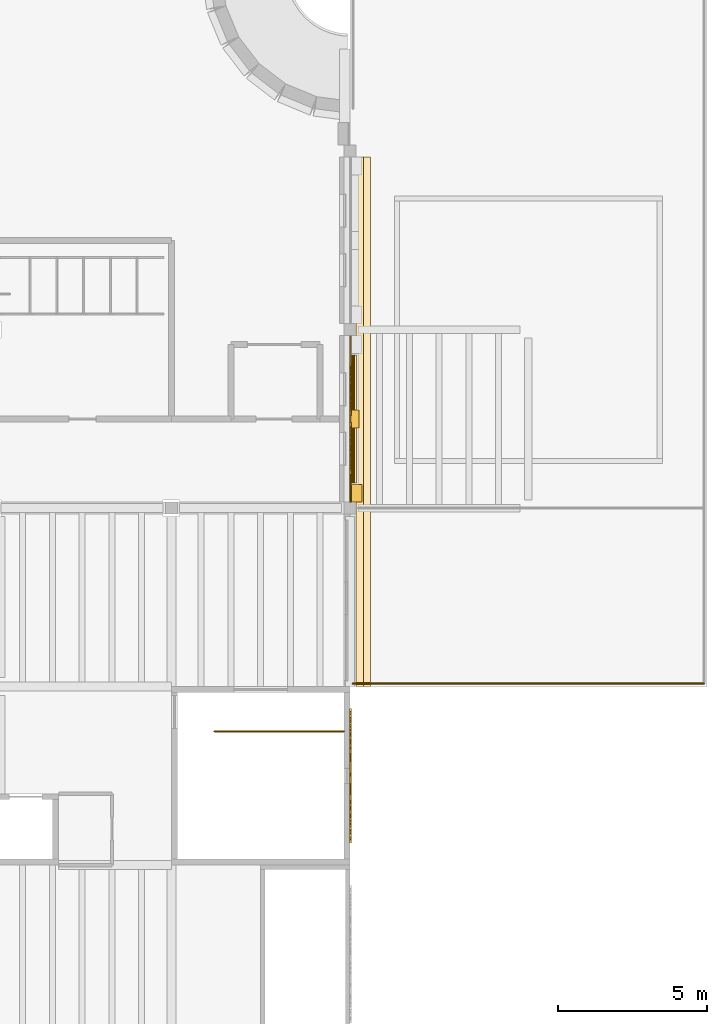
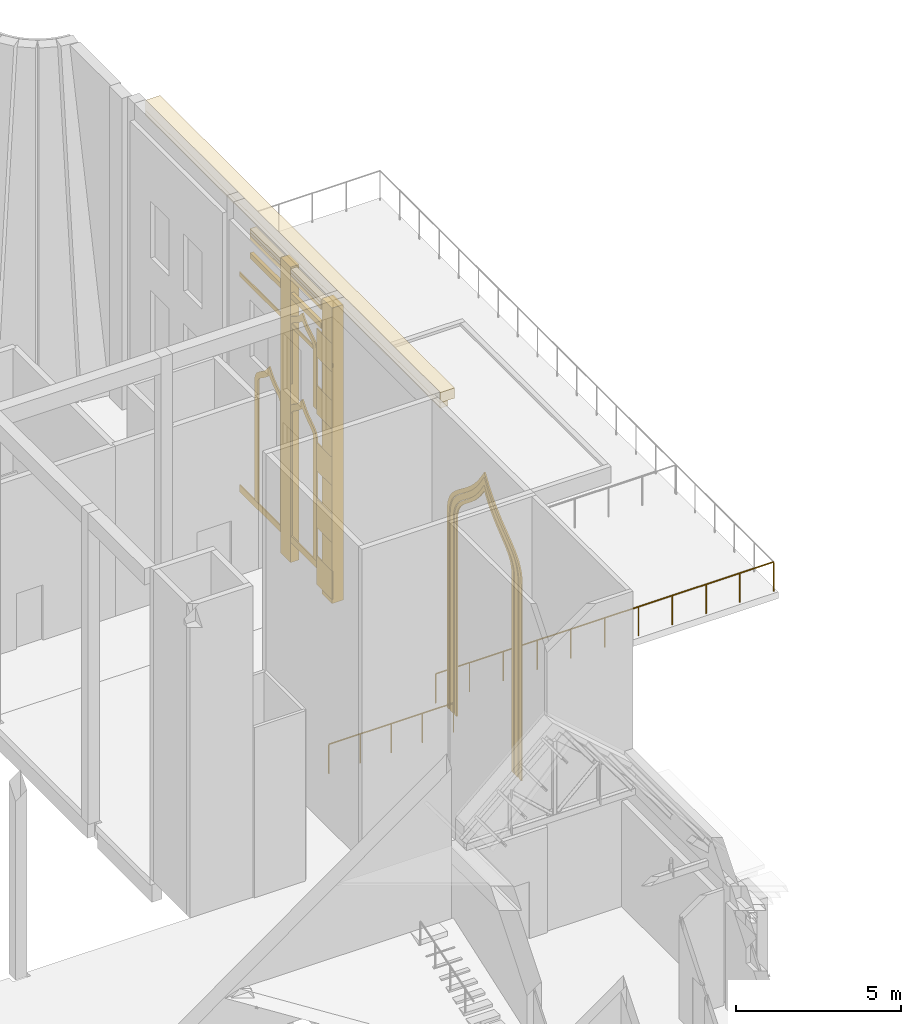
# One storey, part 115 of 118: 21 coverings, 2 railings.
"""IFC4 building model written with IfcOpenShell, lengths in metres."""

from ifc_helpers import new_model, si_unit, direction, frame, origin, origin_2d, place, context, subcontext, project, spatial, polyline, rectangle, circle, outline, extrude, material, layer, layer_set, type_object, element, save


model = new_model("IFC4")

# Units and contexts
model_context = context("Model", 3, precision=1e-05, world=origin(), true_north=direction((0.0, 1.0)))
body_context = subcontext(model_context, "Body", "Model", "MODEL_VIEW")
ifc_project = project(units=[si_unit("LENGTHUNIT", "METRE"), si_unit("AREAUNIT", "SQUARE_METRE"), si_unit("VOLUMEUNIT", "CUBIC_METRE"), si_unit("PLANEANGLEUNIT", "RADIAN"), si_unit("MASSUNIT", "GRAM", prefix="KILO")], contexts=[model_context])

# Site, building, storey
site_placement = place(None, origin())
site = spatial("IfcSite", under=ifc_project, at=site_placement, CompositionType="ELEMENT")
building_placement = place(site_placement, origin())
building = spatial("IfcBuilding", under=site, at=building_placement, Name="Saffron Lane Theatres", CompositionType="ELEMENT")
storey_placement = place(building_placement, frame((0.0, 0.0, 16.5)))
storey = spatial("IfcBuildingStorey", under=building, at=storey_placement, Name="L03", CompositionType="ELEMENT", Elevation=16.5)

# Coverings
ifc_material_1 = material(Name="Masonry sandstone", Category="masonry")
ifc_layer_1 = layer(ifc_material_1, 0.050048828125)
ifc_layer_set_1 = layer_set([ifc_layer_1], Name="Masonry sandstone")
covering_type_1 = type_object("IfcCoveringType", Name="EX-ARCH FRAME RING SANDSTONE 50", PredefinedType="CLADDING", material=ifc_layer_set_1)
covering_1_placement = place(storey_placement, frame((54.0, 97.2099609375, 7.62890625), z_axis=(-1.0, 0.0, 0.0), x_axis=(0.0, 0.060212267817, 0.99818559537)))
element("IfcCovering", 1, at=covering_1_placement, inside=storey, type_object=covering_type_1, Name="Arch recess ring L03", PredefinedType="CLADDING", context=body_context, shape_type="SweptSolid", body=[
    extrude(outline(polyline([(0.0, 0.0), (0.18245996245064686, 1.734723475976807e-18), (0.34723453126474224, 0.023079409295178335), (0.49622918690115053, 0.06838953283459552), (0.6301982160698869, 0.13221610474866663), (0.7522361869840188, 0.21314953337272502), (0.8673137477940834, 0.3084441366809254), (0.9769603789575473, 0.41507264098694907), (1.0849429406100468, 0.5306065632235581), (1.196652181685609, 0.6552098929656452), (1.3147478693531138, 0.7843196692926863), (1.4429589697428435, 0.9189338765698157), (1.5854662369971864, 1.0553761429328028), (1.7442633531391913, 1.1942599592614254), (1.9247936613689376, 1.3325665453533233), (2.12835764474947, 1.4675270254379955), (2.4426495451358874, 1.645948009593871), (2.1520838655153414, 1.860855040801105), (1.966218996014678, 2.0193065374804875), (1.8036230058359621, 2.1783110906345584), (1.662672006180802, 2.3352762276211867), (1.5375992481137724, 2.487859380230101), (1.426499251176009, 2.63690924351224), (1.3247796539255927, 2.779278654988486), (1.228858492839216, 2.9164066068448986), (1.1355467913628874, 3.044082944417697), (1.0395126016053695, 3.1631184687524665), (0.9367244587384699, 3.2715551051242904), (0.8253000760479804, 3.366571383496617), (0.6999748001694127, 3.4460390327928985), (0.5574482592399335, 3.5079558775061255), (0.39670156185697103, 3.55164962571373), (0.21556462286910513, 3.5735824146744983), (-7.000322945223632, 4.008857133929422), (-7.007555473486835, 3.888957887610556), (0.2044329321239884, 3.4539183725267932), (0.37338498835587197, 3.4327205966009036), (0.5183416457148889, 3.394871018701731), (0.6434016635559805, 3.339388641432058), (0.7534158012368836, 3.269649624665426), (0.8543588980500086, 3.1833368806434383), (0.9484304396681715, 3.084475667417548), (1.0398993817979454, 2.970851799054243), (1.1314232049009902, 2.845973737773342), (1.2274178672908547, 2.7100642741925265), (1.329994653076169, 2.5656864804325337), (1.4431703268244287, 2.4145547335631594), (1.5708440510175474, 2.256433829413242), (1.7174232904851157, 2.0954604213430774), (1.8848282259466955, 1.9310295119568452), (2.0772226245767573, 1.767292454875538), (2.2230779578730857, 1.6591929444823779), (2.065286012890334, 1.569409958918385), (1.8546044899525003, 1.4299871330308518), (1.6686478254905923, 1.2868716016560897), (1.5037814617152523, 1.1446851267574143), (1.3580264168641274, 1.0030579151101657), (1.2275044354927402, 0.8666264289383573), (1.1083163551191764, 0.7356258724131494), (0.9966806153471018, 0.6122410309466604), (0.8908093378032328, 0.49927018083078695), (0.7863453652168108, 0.39746532206832463), (0.6810722249471028, 0.31062892209304366), (0.5704857571163746, 0.2370760043565431), (0.45288628491552757, 0.1810670310814375), (0.32206376488099014, 0.14101992754420883), (0.1735496444331623, 0.11989467290442692), (0.0033333657812880347, 0.1201344504900272), (-7.2086550398295355, 0.55517396557379), (-7.215887568092738, 0.43527471925492384), (0.0, 0.0)])), origin(), (0.0, 0.0, -1.0), 0.050048828125),
])
covering_2_placement = place(storey_placement, frame((54.0, 96.949951171875, 7.6298828125), z_axis=(-1.0, 0.0, 0.0), x_axis=(0.0, 0.063270109204, 0.997996439513)))
element("IfcCovering", 2, at=covering_2_placement, inside=storey, type_object=covering_type_1, Name="Arch recess ring L03", PredefinedType="CLADDING", context=body_context, shape_type="SweptSolid", body=[
    extrude(outline(polyline([(0.0, 0.0), (0.20451131328636926, 0.0), (0.391608832374967, 0.026300952584901824), (0.5603025045638261, 0.07872099349623404), (0.7122943927847947, 0.15323812471010928), (0.850322953083702, 0.24674316688458328), (0.9785113163332971, 0.35481600248123024), (1.1014425201368863, 0.47643218780048757), (1.22206777840678, 0.6079797937474251), (1.3461265989027185, 0.747382536704494), (1.47672466357706, 0.8934650023216697), (1.61737772331112, 1.0438026252684656), (1.772425164233714, 1.1973864086493233), (1.9465237605785872, 1.3504962957412796), (2.1436646167616167, 1.5043470465272013), (2.366570742024628, 1.6555858301906534), (2.7526149361191536, 1.8796565861857986), (2.3979586477623505, 2.15068562635549), (2.1959366015138087, 2.3288636362032866), (2.019726164757263, 2.505160633352086), (1.866434413406835, 2.6802492823989263), (1.7320239026346331, 2.8521838689374683), (1.6114825817148033, 3.0190804657773938), (1.5003783836945004, 3.1804861609673156), (1.3949175152203226, 3.3344397932968923), (1.291870719907874, 3.480167565320222), (1.1852822347413474, 3.6163346400119867), (1.071768335296298, 3.7397307051813806), (0.9466533031453908, 3.849918295681022), (0.8052888160797143, 3.9430333789166583), (0.644503907541305, 4.015362892944497), (0.4622875785182192, 4.066055806298615), (0.2594136264563572, 4.091882862594615), (-6.9560811391073525, 4.549324516392314), (-6.968732071587271, 4.349773958784539), (0.24091505858866472, 3.8927030282829542), (0.4226376727818617, 3.868950798358842), (0.5763074336567084, 3.8271619474415197), (0.7077565297969739, 3.766722100760383), (0.825226268312909, 3.69028898295165), (0.931625020094396, 3.5974335808927735), (1.0327386333131892, 3.4868105653896757), (1.1321635902602138, 3.361127498880178), (1.2313772465864183, 3.2205353520147404), (1.3349506904806907, 3.067679900015165), (1.4478805258648797, 2.9042014185972795), (1.5719958874924584, 2.731940991928976), (1.7130397805127526, 2.552736206788559), (1.8738777327932161, 2.369340966025863), (2.0582726440792407, 2.1832291279022495), (2.2709311264061713, 1.9953254605140816), (2.3932290112455648, 1.9024406220928562), (2.260180150818841, 1.8257440342686455), (2.0254945259810873, 1.6662006990332623), (1.8190724721842393, 1.5048655345333242), (1.6363618454330005, 1.3432502874173748), (1.4738160012380457, 1.1832922200669196), (1.3289401350280363, 1.0280850650198985), (1.196269284125732, 0.8801769620388366), (1.074221462641737, 0.7416252505476916), (0.9580472155182788, 0.6146880784224842), (0.8435461778625839, 0.5025673058291871), (0.7292718876317141, 0.4055992650663196), (0.6119985858308586, 0.3269240290838356), (0.4857550626402057, 0.2649631093819253), (0.34778741520992096, 0.22258203382804242), (0.19007059168582058, 0.2005341984288354), (0.006803297092145158, 0.19992128090389086), (-7.202843833083791, 0.6569922114054754), (-7.21549476556371, 0.4574416537976993), (0.0, 0.0)])), origin(), (0.0, 0.0, -1.0), 0.050048828125),
])
covering_3_placement = place(storey_placement, frame((54.0, 96.75, 7.62890625), z_axis=(-1.0, 0.0, 0.0), x_axis=(0.0, 0.063067105822, 0.998009288616)))
element("IfcCovering", 3, at=covering_3_placement, inside=storey, type_object=covering_type_1, Name="Arch recess ring L03", PredefinedType="CLADDING", context=body_context, shape_type="SweptSolid", body=[
    extrude(outline(polyline([(0.0, 0.0), (0.22065410238359984, 0.0), (0.4187134265220611, 0.029560004583244877), (0.5977096136465027, 0.08649981821842359), (0.7591480818830546, 0.16754415025789063), (0.9069092065021029, 0.26828911918176446), (1.0436269965020135, 0.3878343914866551), (1.1763647343450248, 0.5218195761099406), (1.3079077001851873, 0.667867014636728), (1.443005808311013, 0.823719525322545), (1.5854805462929957, 0.9879124792278838), (1.74149756436062, 1.1573653473180439), (1.9128829214646568, 1.3300057147601387), (2.1051636874559483, 1.5042611719162358), (2.322602467400049, 1.6779053315271268), (2.5687309025280785, 1.848757998061501), (2.939299582482729, 2.0687451567247677), (2.5993714153662166, 2.333630674903618), (2.376708378009706, 2.5341076362624033), (2.1828581737781825, 2.733742341436499), (2.0140428055584096, 2.9308165121735614), (1.8657533124027184, 3.1236580619491425), (1.7323086520339435, 3.311402854286392), (1.6116364096191989, 3.4922248302345396), (1.4972321955910908, 3.6638441173757603), (1.3851205499528025, 3.825288798534778), (1.2703052025337076, 3.97491758167241), (1.1497237228123742, 4.110722342196935), (1.0158201165623333, 4.229266523603667), (0.8658679913294249, 4.329988531727124), (0.6954634655937679, 4.409007991296922), (0.5027007929207938, 4.463265173062263), (0.2838019761972683, 4.491041798770807), (-6.930811069679663, 4.946954153111145), (-6.939633689707931, 4.807340060733993), (0.27108088238534517, 4.35167406227577), (0.47394468647918964, 4.32564461841539), (0.6469894341356787, 4.276792138941024), (0.7970093612615814, 4.208112062862302), (0.9298059868044842, 4.1185038925216135), (1.0502089125366965, 4.010842590258167), (1.1623910613386164, 3.885353712170172), (1.2717436291480344, 3.7421858281426754), (1.3819241364077643, 3.585021850562481), (1.4954153209604875, 3.414438770837703), (1.618203468665377, 3.2322599466484734), (1.7523763915979502, 3.0405550915570396), (1.9052310321305657, 2.842532504699245), (2.0797528345714937, 2.638982037609416), (2.279081215655327, 2.4331300879366635), (2.509399924124821, 2.2260536522840537), (2.691990151832101, 2.0843733579964816), (2.493017257964128, 1.9668051456709819), (2.238463289591504, 1.7903692228565102), (2.0148072651487468, 1.6112468863933098), (1.816050202804688, 1.4312849950160573), (1.639483808618438, 1.2540794801970379), (1.4822458162227838, 1.080789727293752), (1.3375012005243339, 0.9155170755147108), (1.203439299814951, 0.7605775943042786), (1.0743509786028422, 0.6185337089889347), (0.9478458825011199, 0.490270355829437), (0.820759202831201, 0.3799015700062919), (0.6877613326258244, 0.28825340008036515), (0.5447409379751207, 0.21607490839936183), (0.3872687454152185, 0.16682615252251398), (0.2094508525427381, 0.1401457024385599), (0.004924146244612728, 0.13986044825926805), (-7.205790425848663, 0.5955264467174906), (-7.2146130458769315, 0.4559123543403382), (0.0, 0.0)])), origin(), (0.0, 0.0, -1.0), 0.050048828125),
])
ifc_material_2 = material(Name="Masonry sandstone", Category="masonry")
ifc_layer_2 = layer(ifc_material_2, 0.25)
ifc_layer_set_2 = layer_set([ifc_layer_2], Name="Masonry sandstone")
covering_type_2 = type_object("IfcCoveringType", Name="EX-CORBEL COURSE SANDSTONE 250", PredefinedType="CLADDING", material=ifc_layer_set_2)
covering_4_placement = place(storey_placement, frame((54.324951171875, 110.89990234375, 10.89990234375), z_axis=(0.0, 0.0, 1.0), x_axis=(0.0, 1.0, 0.0)))
element("IfcCovering", 4, at=covering_4_placement, inside=storey, type_object=covering_type_2, Name="Corbel course east face", PredefinedType="CLADDING", context=body_context, shape_type="SweptSolid", body=[
    extrude(rectangle(XDim=17.800048828125, YDim=0.25, at=origin_2d()), origin(), (0.0, 0.0, 1.0), 0.199951171875),
])
ifc_material_3 = material(Name="Masonry sandstone", Category="masonry")
ifc_layer_3 = layer(ifc_material_3, 0.5)
ifc_layer_set_3 = layer_set([ifc_layer_3], Name="Masonry sandstone")
covering_type_3 = type_object("IfcCoveringType", Name="EX-CORNICE SANDSTONE 500", PredefinedType="CLADDING", material=ifc_layer_set_3)
covering_5_placement = place(storey_placement, frame((54.449951171875, 110.89990234375, 11.10009765625), z_axis=(0.0, 0.0, 1.0), x_axis=(0.0, 1.0, 0.0)))
element("IfcCovering", 5, at=covering_5_placement, inside=storey, type_object=covering_type_3, Name="Cornice east face", PredefinedType="CLADDING", context=body_context, shape_type="SweptSolid", body=[
    extrude(rectangle(XDim=17.800048828125, YDim=0.5, at=origin_2d()), origin(), (0.0, 0.0, 1.0), 0.3798828125),
])
ifc_material_4 = material(Name="Masonry sandstone", Category="masonry")
ifc_layer_4 = layer(ifc_material_4, 0.179931640625)
ifc_layer_set_4 = layer_set([ifc_layer_4], Name="Masonry sandstone")
covering_type_4 = type_object("IfcCoveringType", Name="EX-EAVES CORNICE SANDSTONE 180", PredefinedType="CLADDING", material=ifc_layer_set_4)
covering_6_placement = place(storey_placement, frame((54.110107421875, 111.0, 10.7099609375), z_axis=(0.0, 0.0, 1.0), x_axis=(0.0, -1.0, 0.0)))
element("IfcCovering", 6, at=covering_6_placement, inside=storey, type_object=covering_type_4, Name="Eaves cornice L03", PredefinedType="CLADDING", context=body_context, shape_type="SweptSolid", body=[
    extrude(rectangle(XDim=4.300048828125, YDim=0.219970703125, at=origin_2d()), origin(), (0.0, 0.0, 1.0), 0.1298828125),
])
covering_7_placement = place(storey_placement, frame((54.074951171875, 111.0, 10.580078125), z_axis=(0.0, 0.0, 1.0), x_axis=(0.0, -1.0, 0.0)))
element("IfcCovering", 7, at=covering_7_placement, inside=storey, type_object=covering_type_4, Name="Eaves cornice L03", PredefinedType="CLADDING", context=body_context, shape_type="SweptSolid", body=[
    extrude(rectangle(XDim=4.300048828125, YDim=0.14990234375, at=origin_2d()), origin(), (0.0, 0.0, 1.0), 0.1298828125),
])
covering_8_placement = place(storey_placement, frame((54.0400390625, 111.0, 10.449951171875), z_axis=(0.0, 0.0, 1.0), x_axis=(0.0, -1.0, 0.0)))
element("IfcCovering", 8, at=covering_8_placement, inside=storey, type_object=covering_type_4, Name="Eaves cornice L03", PredefinedType="CLADDING", context=body_context, shape_type="SweptSolid", body=[
    extrude(rectangle(XDim=4.300048828125, YDim=0.080078125, at=origin_2d()), origin(), (0.0, 0.0, 1.0), 0.1298828125),
])
ifc_material_5 = material(Name="Masonry sandstone", Category="masonry")
ifc_layer_5 = layer(ifc_material_5, 0.1201171875)
ifc_layer_set_5 = layer_set([ifc_layer_5], Name="Masonry sandstone")
covering_type_5 = type_object("IfcCoveringType", Name="EX-EAVES STRING COURSE SANDSTONE 120", PredefinedType="CLADDING", material=ifc_layer_set_5)
covering_9_placement = place(storey_placement, frame((54.06005859375, 111.0, 9.75), z_axis=(0.0, 0.0, 1.0), x_axis=(0.0, -1.0, 0.0)))
element("IfcCovering", 9, at=covering_9_placement, inside=storey, type_object=covering_type_5, Name="Eaves string course L03", PredefinedType="CLADDING", context=body_context, shape_type="SweptSolid", body=[
    extrude(rectangle(XDim=4.300048828125, YDim=0.1201171875, at=origin_2d()), origin(), (0.0, 0.0, 1.0), 0.199951171875),
])
ifc_material_6 = material(Name="Face brick cladding, pale buff", Category="masonry")
ifc_layer_6 = layer(ifc_material_6, 0.0400390625)
ifc_layer_set_6 = layer_set([ifc_layer_6], Name="Face brick cladding, pale buff")
covering_type_6 = type_object("IfcCoveringType", Name="EX-FACE BRICK CLADDING PALE BUFF 40", PredefinedType="CLADDING", material=ifc_layer_set_6)
for number, where, z_axis, x_axis, name in (
    (10, (54.02001953125, 108.6650390625, 0.14990234375), (0.0, 0.0, 1.0), (0.0, -1.0, 0.0), "Cladding course L03"),
    (11, (54.02001953125, 108.6650390625, 2.25), (0.0, 0.0, 1.0), (0.0, -1.0, 0.0), "Cladding course L03"),
    (12, (54.02001953125, 108.6650390625, 4.35009765625), (0.0, 0.0, 1.0), (0.0, -1.0, 0.0), "Cladding course L03"),
    (13, (54.02001953125, 108.6650390625, 6.4501953125), (0.0, 0.0, 1.0), (0.0, -1.0, 0.0), "Cladding course L03"),
    (14, (54.02001953125, 108.6650390625, 8.5498046875), (0.0, 0.0, 1.0), (0.0, -1.0, 0.0), "Cladding course L03"),
):
    element("IfcCovering", number, at=place(storey_placement, frame(where, z_axis=z_axis, x_axis=x_axis)), inside=storey, type_object=covering_type_6, Name=name, PredefinedType="CLADDING", context=body_context, shape_type="SweptSolid", body=[
        extrude(rectangle(XDim=0.929931640625, YDim=0.0400390625, at=origin_2d()), origin(), (0.0, 0.0, 1.0), 1.050048828125),
    ])
ifc_material_7 = material(Name="Masonry sandstone", Category="masonry")
ifc_layer_7 = layer(ifc_material_7, 0.0400390625)
ifc_layer_set_7 = layer_set([ifc_layer_7], Name="Masonry sandstone")
covering_type_7 = type_object("IfcCoveringType", Name="EX-HEAD COURSE SANDSTONE 150", PredefinedType="CLADDING", material=ifc_layer_set_7)
covering_10_placement = place(storey_placement, frame((54.02001953125, 111.0, 8.699951171875), z_axis=(0.0, 0.0, 1.0), x_axis=(0.0, -1.0, 0.0)))
element("IfcCovering", 15, at=covering_10_placement, inside=storey, type_object=covering_type_7, Name="Facade head course L03", PredefinedType="CLADDING", context=body_context, shape_type="SweptSolid", body=[
    extrude(rectangle(XDim=5.60009765625, YDim=0.0400390625, at=origin_2d()), origin(), (0.0, 0.0, 1.0), 0.14990234375),
])
ifc_material_8 = material(Name="Masonry sandstone", Category="masonry")
ifc_layer_8 = layer(ifc_material_8, 0.050048828125)
ifc_layer_set_8 = layer_set([ifc_layer_8], Name="Masonry sandstone")
covering_type_8 = type_object("IfcCoveringType", Name="EX-HOOD RING SANDSTONE 50", PredefinedType="CLADDING", material=ifc_layer_set_8)
covering_11_placement = place(storey_placement, frame((54.0, 112.864013671875, 5.531982421875), z_axis=(-1.0, 0.0, 0.0), x_axis=(0.0, 0.078130341124, -0.99694315274)))
element("IfcCovering", 16, at=covering_11_placement, inside=storey, type_object=covering_type_8, Name="Window hood ring L03", PredefinedType="CLADDING", context=body_context, shape_type="SweptSolid", body=[
    extrude(outline(polyline([(0.0, 0.0), (0.07811965924127641, 8.673617379884035e-19), (4.51860571358575, 0.348000474478407), (4.5029643855287285, 0.5475838204859967), (0.07051034388943878, 0.2002128140879333), (0.015441424254536285, 0.1998152954578012), (-0.02623088864743072, 0.2065898979855227), (-0.06326879049484424, 0.21984992921981394), (-0.09703727328253409, 0.2382639687967968), (-0.13214633233345252, 0.26440940238362326), (-0.16685405779617615, 0.29793296486368853), (-0.2041193311441259, 0.33909254740203026), (-0.24420462149201466, 0.38811246953273454), (-0.28736782000488015, 0.4420338497823805), (-0.3340575657508945, 0.5003317499215421), (-0.38620193853494034, 0.5626101773033125), (-0.4454665490471872, 0.6282488197466987), (-0.5118468193379598, 0.6940644762441935), (-0.5873280535830812, 0.7603913371220885), (-0.6587104968856504, 0.8150398483784828), (-0.5967128504172938, 0.8801413447266424), (-0.5324857424571023, 0.9574171352444522), (-0.47716885054812513, 1.0327701868986672), (-0.4287768705145394, 1.105866309362996), (-0.387047333241632, 1.1764811831033524), (-0.3500094313942185, 1.2413408111103374), (-0.3157732347480431, 1.3013279746796576), (-0.2837375059124262, 1.355020457445542), (-0.25341545623856876, 1.4024564089886185), (-0.2243538687086235, 1.4409775665308049), (-0.19374646017167702, 1.4722731935022604), (-0.16325884131789892, 1.4957229777219914), (-0.12873881179185953, 1.5145909973084342), (-0.08863063169559462, 1.5277747293814716), (-0.03417210535072224, 1.5359608663923878), (4.3982819362885675, 1.8833318727904511), (4.382640608231546, 2.082915218798041), (-0.05784544611292687, 1.734914744319634), (-0.13501136583853127, 1.722745028099659), (-0.20734831164838508, 1.6989541866291236), (-0.27201185081094814, 1.6647446946893871), (-0.3286105686289885, 1.6213716734830736), (-0.3758748470592437, 1.571383514996059), (-0.41699246505889587, 1.5179588422861752), (-0.4546407601963395, 1.4608878326599741), (-0.48889603163282835, 1.4011440634150536), (-0.5242729007397474, 1.3400879485965684), (-0.5594971715241591, 1.2770846791828874), (-0.5985585271280223, 1.2130460301509924), (-0.64166221229511, 1.147466138061772), (-0.6905310620865317, 1.0804548737074307), (-0.7455610691491948, 1.0139403168928514), (-0.8105702435122374, 0.9466436936754209), (-0.9836419199589825, 0.7895750033100398), (-0.7882145892648852, 0.6613855454792072), (-0.7135154214226149, 0.6050378519016919), (-0.6487954208807241, 0.5479080919213253), (-0.5900839792875671, 0.48932788488552464), (-0.5372903006412517, 0.43126346017979944), (-0.48872969946129513, 0.3740917356607433), (-0.4441206318426708, 0.31734499746987055), (-0.3995878633853003, 0.2615718365765959), (-0.35652003882400196, 0.2088674279489475), (-0.3104406863680177, 0.1583581461905698), (-0.26150240433985494, 0.11199114589665882), (-0.2070278551711193, 0.06997624976066244), (-0.14436335403340483, 0.035949875807934885), (-0.075160014776243, 0.012231518540590533), (0.0, 0.0)])), origin(), (0.0, 0.0, -1.0), 0.050048828125),
])
covering_12_placement = place(storey_placement, frame((54.0, 110.864013671875, 5.531982421875), z_axis=(-1.0, 0.0, 0.0), x_axis=(0.0, 0.078130341124, -0.99694315274)))
element("IfcCovering", 17, at=covering_12_placement, inside=storey, type_object=covering_type_8, Name="Window hood ring L03", PredefinedType="CLADDING", context=body_context, shape_type="SweptSolid", body=[
    extrude(outline(polyline([(0.0, 0.0), (0.07811965924127641, 8.673617379884035e-19), (4.51860571358575, 0.348000474478407), (4.5029643855287285, 0.5475838204859967), (0.07051034388943878, 0.2002128140879333), (0.015441424254536285, 0.1998152954578012), (-0.02623088864743072, 0.2065898979855227), (-0.06326879049484424, 0.21984992921981394), (-0.09703727328253409, 0.2382639687967968), (-0.13214633233345252, 0.26440940238362326), (-0.16685405779617615, 0.29793296486368853), (-0.2041193311441259, 0.33909254740203026), (-0.24420462149201466, 0.38811246953273454), (-0.28736782000488015, 0.4420338497823805), (-0.3340575657508945, 0.5003317499215421), (-0.38620193853494034, 0.5626101773033125), (-0.4454665490471872, 0.6282488197466987), (-0.5118468193379598, 0.6940644762441935), (-0.5873280535830812, 0.7603913371220885), (-0.6587104968856504, 0.8150398483784828), (-0.5967128504172938, 0.8801413447266424), (-0.5324857424571023, 0.9574171352444522), (-0.47716885054812513, 1.0327701868986672), (-0.4287768705145394, 1.105866309362996), (-0.387047333241632, 1.1764811831033524), (-0.3500094313942185, 1.2413408111103374), (-0.3157732347480431, 1.3013279746796576), (-0.2837375059124262, 1.355020457445542), (-0.25341545623856876, 1.4024564089886185), (-0.2243538687086235, 1.4409775665308049), (-0.19374646017167702, 1.4722731935022604), (-0.16325884131789892, 1.4957229777219914), (-0.12873881179185953, 1.5145909973084342), (-0.08863063169559462, 1.5277747293814716), (-0.03417210535072224, 1.5359608663923878), (4.3982819362885675, 1.8833318727904511), (4.382640608231546, 2.082915218798041), (-0.05784544611292687, 1.734914744319634), (-0.13501136583853127, 1.722745028099659), (-0.20734831164838508, 1.6989541866291236), (-0.27201185081094814, 1.6647446946893871), (-0.3286105686289885, 1.6213716734830736), (-0.3758748470592437, 1.571383514996059), (-0.41699246505889587, 1.5179588422861752), (-0.4546407601963395, 1.4608878326599741), (-0.48889603163282835, 1.4011440634150536), (-0.5242729007397474, 1.3400879485965684), (-0.5594971715241591, 1.2770846791828874), (-0.5985585271280223, 1.2130460301509924), (-0.64166221229511, 1.147466138061772), (-0.6905310620865317, 1.0804548737074307), (-0.7455610691491948, 1.0139403168928514), (-0.8105702435122374, 0.9466436936754209), (-0.9836419199589825, 0.7895750033100398), (-0.7882145892648852, 0.6613855454792072), (-0.7135154214226149, 0.6050378519016919), (-0.6487954208807241, 0.5479080919213253), (-0.5900839792875671, 0.48932788488552464), (-0.5372903006412517, 0.43126346017979944), (-0.48872969946129513, 0.3740917356607433), (-0.4441206318426708, 0.31734499746987055), (-0.3995878633853003, 0.2615718365765959), (-0.35652003882400196, 0.2088674279489475), (-0.3104406863680177, 0.1583581461905698), (-0.26150240433985494, 0.11199114589665882), (-0.2070278551711193, 0.06997624976066244), (-0.14436335403340483, 0.035949875807934885), (-0.075160014776243, 0.012231518540590533), (0.0, 0.0)])), origin(), (0.0, 0.0, -1.0), 0.050048828125),
])
covering_13_placement = place(storey_placement, frame((54.0, 110.864013671875, 8.825927734375), z_axis=(-1.0, 0.0, 0.0), x_axis=(0.0, 0.084443076686, -0.996428304897)))
element("IfcCovering", 18, at=covering_13_placement, inside=storey, type_object=covering_type_8, Name="Window hood ring L03", PredefinedType="CLADDING", context=body_context, shape_type="SweptSolid", body=[
    extrude(outline(polyline([(0.0, 0.0), (0.07227964522991924, -8.673617379884035e-19), (2.2183954913726747, 0.18187422424938607), (2.2014903832470236, 0.3813545001320725), (0.06315913323627513, 0.20013998741929723), (0.018067849708927903, 0.20023894414978885), (-0.0145631321706831, 0.20653918932442183), (-0.04468721021117312, 0.21795219890778844), (-0.07313727022751326, 0.23563246808895752), (-0.10348400091160942, 0.26123752210366363), (-0.13449044313231637, 0.29462717225037705), (-0.16814397789367408, 0.3361230279031955), (-0.2044033732246444, 0.3852385518038685), (-0.24302123729899833, 0.4390545204028934), (-0.28523452924788095, 0.49771112240179993), (-0.3327255134896499, 0.5608207772728292), (-0.3852674141835952, 0.6257075300956039), (-0.4440559584898239, 0.6920250323134031), (-0.5119279060157623, 0.758552817583497), (-0.5811481389946491, 0.8178608847248068), (-0.5228956103119167, 0.887971728278118), (-0.4671870942422396, 0.9649724341919081), (-0.42039705350811957, 1.0402372741249915), (-0.3795238006179775, 1.1130405653870954), (-0.34333037644066833, 1.1832421192766907), (-0.31159000513548185, 1.2481659808733996), (-0.28257919031302253, 1.3077131934467305), (-0.25501974087110696, 1.3612570310369034), (-0.2289116568097351, 1.4087974936439185), (-0.20396631433163975, 1.4469288204600217), (-0.17836126031693364, 1.477275551144118), (-0.15329222192572375, 1.4994913371394862), (-0.12551836623440968, 1.5158109512763955), (-0.09441296728321111, 1.5275125846570292), (-0.04998139529247468, 1.535198224058545), (2.0883498547182735, 1.7164127367713202), (2.0714447465926225, 1.9158930126540068), (-0.07467109955013333, 1.7340187884046208), (-0.14591994550409823, 1.7218553569483592), (-0.21315692067604877, 1.6970460799746898), (-0.2723289223129325, 1.6609145037539377), (-0.3227102677244774, 1.6164623157776823), (-0.36456896472243183, 1.5668520082245512), (-0.4001562789254799, 1.5126278431122484), (-0.43160390323629527, 1.4558143102187484), (-0.4616496405318128, 1.3969144395907165), (-0.49146860198662035, 1.3353386140423074), (-0.5214277521429577, 1.2725258293627528), (-0.5551967364232222, 1.208410114398392), (-0.5918024803109132, 1.1430739330913013), (-0.6331911328390325, 1.076352357557328), (-0.6817170395538596, 1.010005992959802), (-0.7363246619968173, 0.9431442287242988), (-0.8820714332225553, 0.792358910637696), (-0.7129461344181727, 0.6672776032962909), (-0.647948055273595, 0.6115319784526796), (-0.5888667639729953, 0.5533248049380891), (-0.5369227268591035, 0.4954928423599461), (-0.48984406232771627, 0.4372485600714213), (-0.4457670852879081, 0.3797299604731684), (-0.40566487025618, 0.32285457962311104), (-0.36590900378117247, 0.2671749259331607), (-0.3263799131468749, 0.21417122716358789), (-0.2858200232366231, 0.16346002598373752), (-0.24161522708659655, 0.11599790412169526), (-0.19200491953346546, 0.07413920712374089), (-0.13486153087165995, 0.03879928474692186), (-0.07045306891292813, 0.013140629169866094), (0.0, 0.0)])), origin(), (0.0, 0.0, -1.0), 0.050048828125),
])
ifc_material_9 = material(Name="Masonry sandstone", Category="masonry")
ifc_layer_9 = layer(ifc_material_9, 0.39990234375)
ifc_layer_set_9 = layer_set([ifc_layer_9], Name="Masonry sandstone")
covering_type_9 = type_object("IfcCoveringType", Name="EX-PILASTER PIER SANDSTONE 400", PredefinedType="CLADDING", material=ifc_layer_set_9)
covering_14_placement = place(storey_placement, frame((54.199951171875, 108.5, 0.0), z_axis=(0.0, 0.0, 1.0), x_axis=(0.0, -1.0, 0.0)))
element("IfcCovering", 19, at=covering_14_placement, inside=storey, type_object=covering_type_9, Name="Pilaster pier L03", PredefinedType="CLADDING", context=body_context, shape_type="SweptSolid", body=[
    extrude(rectangle(XDim=0.60009765625, YDim=0.39990234375, at=origin_2d()), origin(), (0.0, 0.0, 1.0), 10.89990234375),
])
ifc_material_10 = material(Name="Masonry pale clay brick", Category="masonry")
ifc_layer_10 = layer(ifc_material_10, 0.300048828125)
ifc_layer_set_10 = layer_set([ifc_layer_10], Name="Masonry pale clay brick")
covering_type_10 = type_object("IfcCoveringType", Name="EX-PILASTER STRIP BRICK 300", PredefinedType="CLADDING", material=ifc_layer_set_10)
covering_15_placement = place(storey_placement, frame((54.14990234375, 111.0, 0.0), z_axis=(0.0, 0.0, 1.0), x_axis=(0.0, -1.0, 0.0)))
element("IfcCovering", 20, at=covering_15_placement, inside=storey, type_object=covering_type_10, Name="Pilaster strip L03", PredefinedType="CLADDING", context=body_context, shape_type="SweptSolid", body=[
    extrude(rectangle(XDim=0.60009765625, YDim=0.300048828125, at=origin_2d()), origin(), (0.0, 0.0, 1.0), 10.89990234375),
])
ifc_material_11 = material(Name="Masonry sandstone", Category="masonry")
ifc_layer_11 = layer(ifc_material_11, 0.0400390625)
ifc_layer_set_11 = layer_set([ifc_layer_11], Name="Masonry sandstone")
covering_type_11 = type_object("IfcCoveringType", Name="EX-SILL COURSE SANDSTONE 250", PredefinedType="CLADDING", material=ifc_layer_set_11)
covering_16_placement = place(storey_placement, frame((54.02001953125, 111.0, 0.75), z_axis=(0.0, 0.0, 1.0), x_axis=(0.0, -1.0, 0.0)))
element("IfcCovering", 21, at=covering_16_placement, inside=storey, type_object=covering_type_11, Name="Facade sill course L03", PredefinedType="CLADDING", context=body_context, shape_type="SweptSolid", body=[
    extrude(rectangle(XDim=5.60009765625, YDim=0.0400390625, at=origin_2d()), origin(), (0.0, 0.0, 1.0), 0.25),
])

# Railings
ifc_material_12 = material(Name="Steel Grade 350", Category="steel")
railing_type = type_object("IfcRailingType", Name="VC-GUARD 1100", PredefinedType="GUARDRAIL", material=ifc_material_12)
railing_1_placement = place(storey_placement, frame((53.800048828125, 100.5, 0.0)))
element("IfcRailing", 22, at=railing_1_placement, inside=storey, type_object=railing_type, Name="Brick Block East Stair guard L03", PredefinedType="GUARDRAIL", context=body_context, shape_type="SweptSolid", body=[
    extrude(circle(Radius=0.02392578125, at=origin_2d()), frame((0.0, 0.0, 1.076171875), z_axis=(-1.0, 0.0, 0.0), x_axis=(0.0, -1.0, 0.0)), (0.0, 0.0, 1.0), 4.35009765625),
    extrude(circle(Radius=0.02099609375, at=origin_2d()), origin(), (0.0, 0.0, 1.0), 1.052001953125),
    extrude(circle(Radius=0.02099609375, at=origin_2d()), frame((-1.08740234375, 0.0, 0.0)), (0.0, 0.0, 1.0), 1.052001953125),
    extrude(circle(Radius=0.02099609375, at=origin_2d()), frame((-2.175048828125, 0.0, 0.0)), (0.0, 0.0, 1.0), 1.052001953125),
    extrude(circle(Radius=0.02099609375, at=origin_2d()), frame((-3.2626953125, 0.0, 0.0)), (0.0, 0.0, 1.0), 1.052001953125),
    extrude(circle(Radius=0.02099609375, at=origin_2d()), frame((-4.35009765625, 0.0, 0.0)), (0.0, 0.0, 1.0), 1.052001953125),
])
railing_2_placement = place(storey_placement, frame((54.10009765625, 102.10009765625, 0.0)))
element("IfcRailing", 23, at=railing_2_placement, inside=storey, Name="Roof garden guard E", PredefinedType="GUARDRAIL", context=body_context, shape_type="SweptSolid", body=[
    extrude(circle(Radius=0.02392578125, at=origin_2d()), frame((0.0, 0.0, 1.076171875), z_axis=(1.0, 0.0, 0.0), x_axis=(0.0, 1.0, 0.0)), (0.0, 0.0, 1.0), 11.7998046875),
    extrude(circle(Radius=0.02099609375, at=origin_2d()), origin(), (0.0, 0.0, 1.0), 1.052001953125),
    extrude(circle(Radius=0.02099609375, at=origin_2d()), frame((1.179931640625, 0.0, 0.0)), (0.0, 0.0, 1.0), 1.052001953125),
    extrude(circle(Radius=0.02099609375, at=origin_2d()), frame((2.35986328125, 0.0, 0.0)), (0.0, 0.0, 1.0), 1.052001953125),
    extrude(circle(Radius=0.02099609375, at=origin_2d()), frame((3.5400390625, 0.0, 0.0)), (0.0, 0.0, 1.0), 1.052001953125),
    extrude(circle(Radius=0.02099609375, at=origin_2d()), frame((4.719970703125, 0.0, 0.0)), (0.0, 0.0, 1.0), 1.052001953125),
    extrude(circle(Radius=0.02099609375, at=origin_2d()), frame((5.89990234375, 0.0, 0.0)), (0.0, 0.0, 1.0), 1.052001953125),
    extrude(circle(Radius=0.02099609375, at=origin_2d()), frame((7.079833984375, 0.0, 0.0)), (0.0, 0.0, 1.0), 1.052001953125),
    extrude(circle(Radius=0.02099609375, at=origin_2d()), frame((8.259765625, 0.0, 0.0)), (0.0, 0.0, 1.0), 1.052001953125),
    extrude(circle(Radius=0.02099609375, at=origin_2d()), frame((9.43994140625, 0.0, 0.0)), (0.0, 0.0, 1.0), 1.052001953125),
    extrude(circle(Radius=0.02099609375, at=origin_2d()), frame((10.619873046875, 0.0, 0.0)), (0.0, 0.0, 1.0), 1.052001953125),
    extrude(circle(Radius=0.02099609375, at=origin_2d()), frame((11.7998046875, 0.0, 0.0)), (0.0, 0.0, 1.0), 1.052001953125),
])

save(model, "model.ifc")
